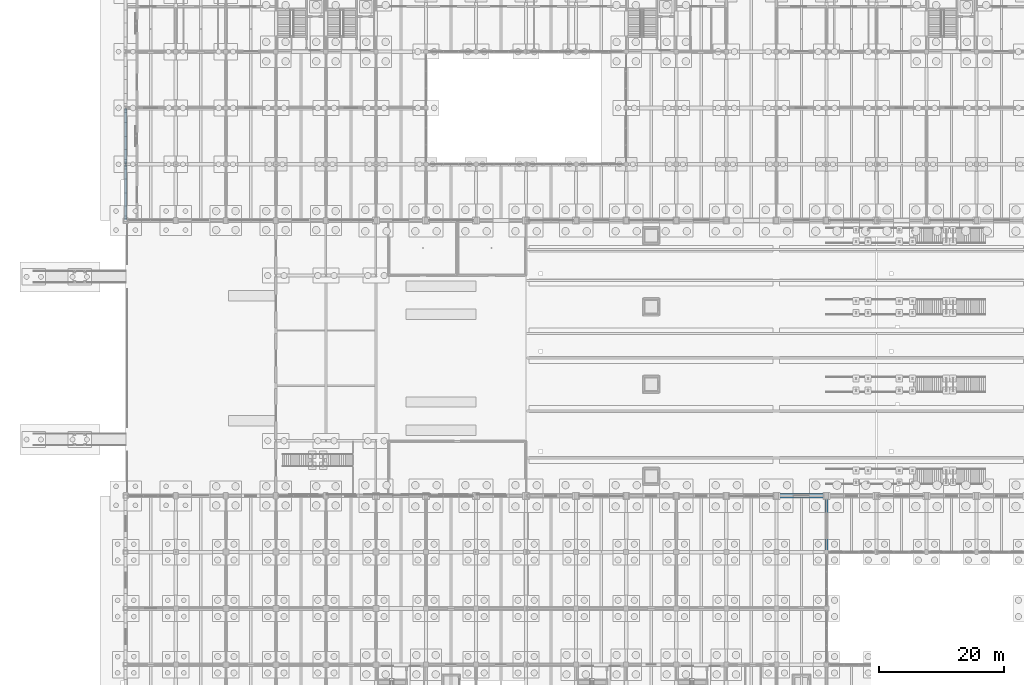
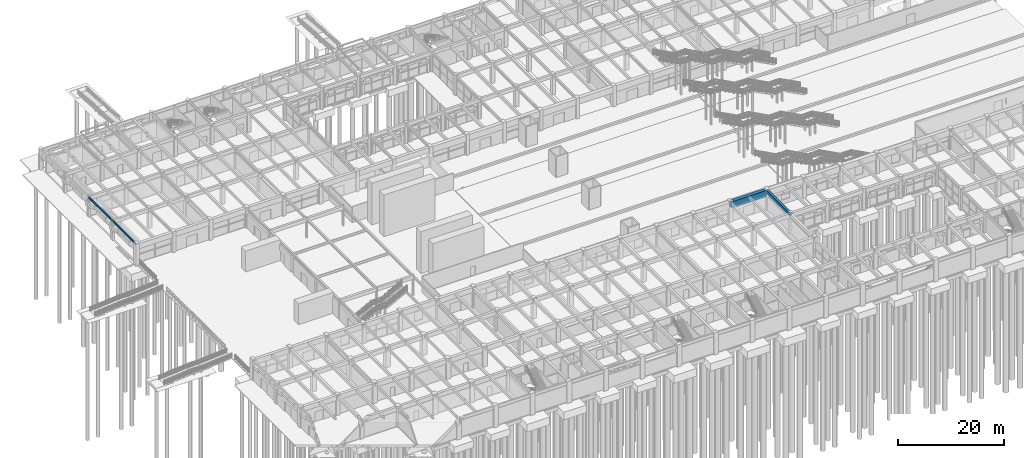
# One storey, part 43 of 147: 4 beams.
"""IFC4 building model written with IfcOpenShell, lengths in metres."""

from ifc_helpers import new_model, si_unit, direction, frame, origin, origin_2d, place, context, subcontext, project, spatial, rectangle, extrude, material, material_profile, profile_set, type_object, element, save


model = new_model("IFC4")

# Units and contexts
model_context = context("Model", 3, precision=1e-05, world=origin(), true_north=direction((0.0, 1.0)))
body_context = subcontext(model_context, "Body", "Model", "MODEL_VIEW")
ifc_project = project(units=[si_unit("LENGTHUNIT", "METRE"), si_unit("AREAUNIT", "SQUARE_METRE"), si_unit("VOLUMEUNIT", "CUBIC_METRE"), si_unit("PLANEANGLEUNIT", "RADIAN"), si_unit("MASSUNIT", "GRAM", prefix="KILO")], contexts=[model_context])

# Site, building, storey
site_placement = place(None, origin())
site = spatial("IfcSite", under=ifc_project, at=site_placement, CompositionType="ELEMENT")
building_placement = place(site_placement, origin())
building = spatial("IfcBuilding", under=site, at=building_placement, Name="Varnabhumi Central Station", CompositionType="ELEMENT")
storey_placement = place(building_placement, origin())
storey = spatial("IfcBuildingStorey", under=building, at=storey_placement, Name="L00", CompositionType="ELEMENT", Elevation=0.0)

# Beams
ifc_material_1 = material(Name="Concrete M50", Category="concrete")
ifc_material_profile_1 = material_profile(ifc_material_1, rectangle(XDim=0.75, YDim=1.39990234375, at=origin_2d()), Name="Concrete M50", Category="concrete")
ifc_profile_set_1 = profile_set([ifc_material_profile_1], Name="Concrete M50")
beam_type_1 = type_object("IfcBeamType", Name="BM-RC-1400x750", PredefinedType="BEAM", material=ifc_profile_set_1)
beam_1_placement = place(storey_placement, frame((104.10009765625, 36.0, 3.85009765625), z_axis=(1.0, 0.0, 0.0), x_axis=(0.0, 1.0, 0.0)))
element("IfcBeam", 1, at=beam_1_placement, inside=storey, type_object=beam_type_1, Name="Beam L00-E:14-15", PredefinedType="BEAM", context=body_context, shape_type="SweptSolid", body=[
    extrude(rectangle(XDim=0.75, YDim=1.39990234375, at=origin_2d()), origin(), (0.0, 0.0, 1.0), 7.7998046875),
])
ifc_material_2 = material(Name="Concrete M35", Category="concrete")
ifc_material_profile_2 = material_profile(ifc_material_2, rectangle(XDim=0.25, YDim=0.449951171875, at=origin_2d()), Name="Concrete M35", Category="concrete")
ifc_profile_set_2 = profile_set([ifc_material_profile_2], Name="Concrete M35")
beam_type_2 = type_object("IfcBeamType", Name="BM-RC-250x450", PredefinedType="LINTEL", material=ifc_profile_set_2)
for number, where, z_axis, x_axis, name in (
    (2, (0.0, 80.10009765625, 4.324951171875), (0.0, 1.0, 0.0), (-1.0, 0.0, 0.0), "Beam L00-1:K-L"),
    (3, (0.0, 89.10009765625, 4.324951171875), (0.0, 1.0, 0.0), (-1.0, 0.0, 0.0), "Beam L00-1:L-M"),
):
    element("IfcBeam", number, at=place(storey_placement, frame(where, z_axis=z_axis, x_axis=x_axis)), inside=storey, type_object=beam_type_2, Name=name, PredefinedType="LINTEL", context=body_context, shape_type="SweptSolid", body=[
        extrude(rectangle(XDim=0.25, YDim=0.449951171875, at=origin_2d()), origin(), (0.0, 0.0, 1.0), 8.7998046875),
    ])
ifc_material_3 = material(Name="Concrete M40", Category="concrete")
ifc_material_profile_3 = material_profile(ifc_material_3, rectangle(XDim=0.449951171875, YDim=0.699951171875, at=origin_2d()), Name="Concrete M40", Category="concrete")
ifc_profile_set_3 = profile_set([ifc_material_profile_3], Name="Concrete M40")
beam_type_3 = type_object("IfcBeamType", Name="BM-RC-450x700", PredefinedType="BEAM", material=ifc_profile_set_3)
beam_2_placement = place(storey_placement, frame((112.0, 27.10009765625, 4.199951171875), z_axis=(0.0, 1.0, 0.0), x_axis=(-1.0, 0.0, 0.0)))
element("IfcBeam", 4, at=beam_2_placement, inside=storey, type_object=beam_type_3, Name="Beam L00-15:D-E", PredefinedType="BEAM", context=body_context, shape_type="SweptSolid", body=[
    extrude(rectangle(XDim=0.449951171875, YDim=0.699951171875, at=origin_2d()), origin(), (0.0, 0.0, 1.0), 8.7998046875),
])

save(model, "model.ifc")
